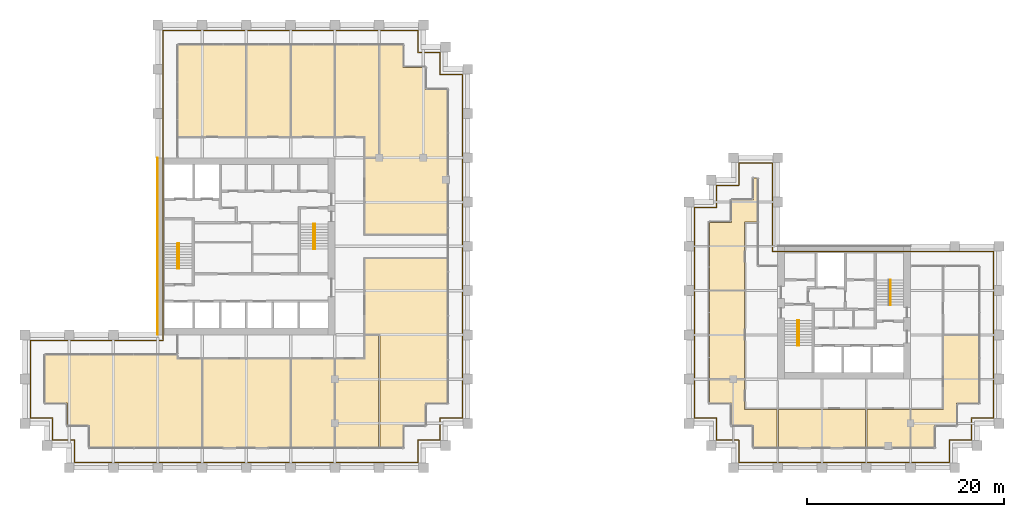
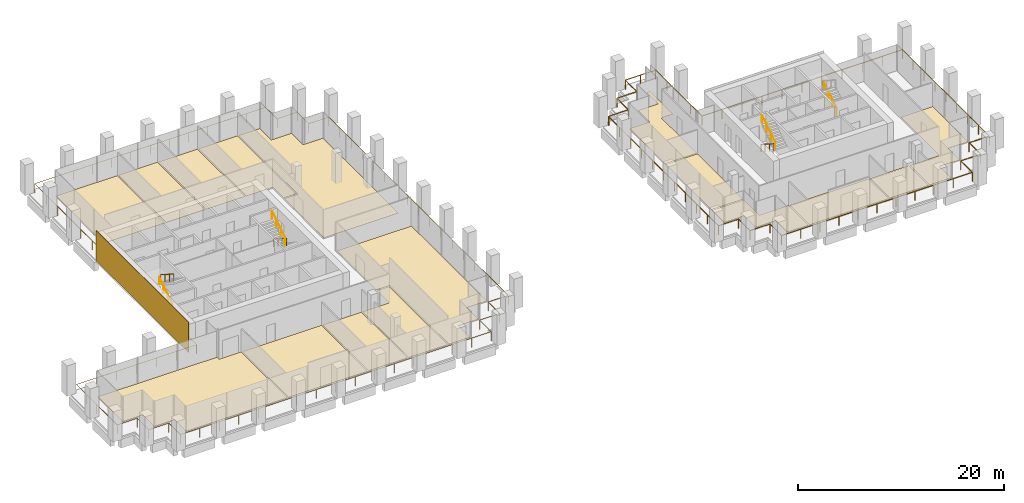
# One storey, part 45 of 46: 17 coverings, 9 railings.
"""IFC4 building model written with IfcOpenShell, lengths in metres."""

from ifc_helpers import new_model, si_unit, direction, frame, origin, origin_2d, place, context, subcontext, project, spatial, polyline, rectangle, circle, outline, extrude, source, transform, mapped, material, layer, layer_set, type_object, element, save


model = new_model("IFC4")

# Units and contexts
model_context = context("Model", 3, precision=1e-05, world=origin(), true_north=direction((0.0, 1.0)))
body_context = subcontext(model_context, "Body", "Model", "MODEL_VIEW")
ifc_project = project(units=[si_unit("LENGTHUNIT", "METRE"), si_unit("AREAUNIT", "SQUARE_METRE"), si_unit("VOLUMEUNIT", "CUBIC_METRE"), si_unit("PLANEANGLEUNIT", "RADIAN"), si_unit("MASSUNIT", "GRAM", prefix="KILO")], contexts=[model_context])

# Site, building, storey
site_placement = place(None, origin())
site = spatial("IfcSite", under=ifc_project, at=site_placement, CompositionType="ELEMENT")
building_placement = place(site_placement, origin())
building = spatial("IfcBuilding", under=site, at=building_placement, Name="Altepetl Exchange Towers", CompositionType="ELEMENT")
storey_placement = place(building_placement, frame((0.0, 0.0, 124.39990234375)))
storey = spatial("IfcBuildingStorey", under=building, at=storey_placement, Name="L30", CompositionType="ELEMENT", Elevation=124.39990234375)

# Coverings
ifc_material_1 = material(Name="Carpet tile")
ifc_layer_1 = layer(ifc_material_1, 0.02001953125)
ifc_layer_set_1 = layer_set([ifc_layer_1], Name="Carpet tile")
covering_type_1 = type_object("IfcCoveringType", Name="Carpet tile floor", PredefinedType="FLOORING", material=ifc_layer_set_1)
covering_1_placement = place(storey_placement, origin())
element("IfcCovering", 1, at=covering_1_placement, inside=storey, type_object=covering_type_1, Name="Open office floor finish A30.01", PredefinedType="FLOORING", context=body_context, shape_type="SweptSolid", body=[
    extrude(outline(polyline([(33.5625, 29.0625), (44.9375, 29.0625), (44.9375, 38.03759765625), (42.4375, 38.03759765625), (42.4375, 38.4375), (29.0625, 38.4375), (29.0625, 33.5625), (31.3125, 33.5625), (31.3125, 31.3125), (33.5625, 31.3125), (33.5625, 29.0625)])), origin(), (0.0, 0.0, 1.0), 0.02001953125),
])
covering_2_placement = place(storey_placement, origin())
element("IfcCovering", 2, at=covering_2_placement, inside=storey, type_object=covering_type_1, Name="Research office floor finish A30.02", PredefinedType="FLOORING", context=body_context, shape_type="SweptSolid", body=[
    extrude(outline(polyline([(53.9375, 29.0625), (53.9375, 38.03759765625), (45.0625, 38.03759765625), (45.0625, 29.0625), (53.9375, 29.0625)])), origin(), (0.0, 0.0, 1.0), 0.02001953125),
])
covering_3_placement = place(storey_placement, origin())
element("IfcCovering", 3, at=covering_3_placement, inside=storey, type_object=covering_type_1, Name="Quiet room floor finish A30.03", PredefinedType="FLOORING", context=body_context, shape_type="SweptSolid", body=[
    extrude(outline(polyline([(58.4375, 29.0625), (58.4375, 38.03759765625), (54.0625, 38.03759765625), (54.0625, 29.0625), (58.4375, 29.0625)])), origin(), (0.0, 0.0, 1.0), 0.02001953125),
])
covering_4_placement = place(storey_placement, origin())
element("IfcCovering", 4, at=covering_4_placement, inside=storey, type_object=covering_type_1, Name="Interview room floor finish A30.04", PredefinedType="FLOORING", context=body_context, shape_type="SweptSolid", body=[
    extrude(outline(polyline([(62.9375, 29.0625), (62.9375, 40.4375), (61.5625, 40.4375), (61.5625, 38.03759765625), (58.5625, 38.03759765625), (58.5625, 29.0625), (62.9375, 29.0625)])), origin(), (0.0, 0.0, 1.0), 0.02001953125),
])
covering_5_placement = place(storey_placement, origin())
element("IfcCovering", 5, at=covering_5_placement, inside=storey, type_object=covering_type_1, Name="Research office floor finish A30.05", PredefinedType="FLOORING", context=body_context, shape_type="SweptSolid", body=[
    extrude(outline(polyline([(67.6875, 31.3125), (67.6875, 33.5625), (69.9375, 33.5625), (69.9375, 48.237548828125), (61.5625, 48.237548828125), (61.5625, 40.5625), (63.0625, 40.5625), (63.0625, 29.0625), (65.4375, 29.0625), (65.4375, 31.3125), (67.6875, 31.3125)])), origin(), (0.0, 0.0, 1.0), 0.02001953125),
])
covering_6_placement = place(storey_placement, origin())
element("IfcCovering", 6, at=covering_6_placement, inside=storey, type_object=covering_type_1, Name="Open office floor finish A30.06", PredefinedType="FLOORING", context=body_context, shape_type="SweptSolid", body=[
    extrude(outline(polyline([(61.5625, 50.762451171875), (69.9375, 50.762451171875), (69.9375, 65.4375), (67.6875, 65.4375), (67.6875, 67.6875), (65.4375, 67.6875), (65.4375, 69.9375), (63.0625, 69.9375), (63.0625, 58.4375), (61.5625, 58.4375), (61.5625, 50.762451171875)])), origin(), (0.0, 0.0, 1.0), 0.02001953125),
])
covering_7_placement = place(storey_placement, origin())
element("IfcCovering", 7, at=covering_7_placement, inside=storey, type_object=covering_type_1, Name="Seminar room floor finish A30.07", PredefinedType="FLOORING", context=body_context, shape_type="SweptSolid", body=[
    extrude(outline(polyline([(61.5625, 58.5625), (62.9375, 58.5625), (62.9375, 69.9375), (58.5625, 69.9375), (58.5625, 60.66259765625), (61.5625, 60.66259765625), (61.5625, 58.5625)])), origin(), (0.0, 0.0, 1.0), 0.02001953125),
])
covering_8_placement = place(storey_placement, origin())
element("IfcCovering", 8, at=covering_8_placement, inside=storey, type_object=covering_type_1, Name="Quiet room floor finish A30.08", PredefinedType="FLOORING", context=body_context, shape_type="SweptSolid", body=[
    extrude(outline(polyline([(58.4375, 60.66259765625), (58.4375, 69.9375), (54.0625, 69.9375), (54.0625, 60.66259765625), (58.4375, 60.66259765625)])), origin(), (0.0, 0.0, 1.0), 0.02001953125),
])
covering_9_placement = place(storey_placement, origin())
element("IfcCovering", 9, at=covering_9_placement, inside=storey, type_object=covering_type_1, Name="Open office floor finish A30.10", PredefinedType="FLOORING", context=body_context, shape_type="SweptSolid", body=[
    extrude(outline(polyline([(49.4375, 60.66259765625), (49.4375, 69.9375), (42.5625, 69.9375), (42.5625, 60.66259765625), (49.4375, 60.66259765625)])), origin(), (0.0, 0.0, 1.0), 0.02001953125),
])
covering_10_placement = place(storey_placement, origin())
element("IfcCovering", 10, at=covering_10_placement, inside=storey, type_object=covering_type_1, Name="Cowork office floor finish B30.01", PredefinedType="FLOORING", context=body_context, shape_type="SweptSolid", body=[
    extrude(outline(polyline([(100.137451171875, 44.9375), (96.5625, 44.9375), (96.5625, 36.0625), (100.137451171875, 36.0625), (100.137451171875, 44.9375)])), origin(), (0.0, 0.0, 1.0), 0.02001953125),
])
covering_11_placement = place(storey_placement, origin())
element("IfcCovering", 11, at=covering_11_placement, inside=storey, type_object=covering_type_1, Name="Training room floor finish B30.02", PredefinedType="FLOORING", context=body_context, shape_type="SweptSolid", body=[
    extrude(outline(polyline([(100.137451171875, 35.9375), (96.5625, 35.9375), (96.5625, 33.5625), (98.8125, 33.5625), (98.8125, 31.3125), (101.0625, 31.3125), (101.0625, 29.0625), (103.4375, 29.0625), (103.4375, 32.9375), (100.137451171875, 32.9375), (100.137451171875, 35.9375)])), origin(), (0.0, 0.0, 1.0), 0.02001953125),
])
covering_12_placement = place(storey_placement, origin())
element("IfcCovering", 12, at=covering_12_placement, inside=storey, type_object=covering_type_1, Name="Cowork office floor finish B30.03", PredefinedType="FLOORING", context=body_context, shape_type="SweptSolid", body=[
    extrude(outline(polyline([(103.5625, 32.9375), (103.5625, 29.0625), (112.4375, 29.0625), (112.4375, 32.9375), (103.5625, 32.9375)])), origin(), (0.0, 0.0, 1.0), 0.02001953125),
])
covering_13_placement = place(storey_placement, origin())
element("IfcCovering", 13, at=covering_13_placement, inside=storey, type_object=covering_type_1, Name="Open office floor finish B30.05", PredefinedType="FLOORING", context=body_context, shape_type="SweptSolid", body=[
    extrude(outline(polyline([(117.0625, 32.9375), (117.0625, 29.0625), (119.4375, 29.0625), (119.4375, 31.3125), (121.6875, 31.3125), (121.6875, 33.5625), (123.9375, 33.5625), (123.9375, 40.4375), (120.362548828125, 40.4375), (120.362548828125, 32.9375), (117.0625, 32.9375)])), origin(), (0.0, 0.0, 1.0), 0.02001953125),
])
covering_14_placement = place(storey_placement, origin())
element("IfcCovering", 14, at=covering_14_placement, inside=storey, type_object=covering_type_1, Name="Cowork office floor finish B30.07", PredefinedType="FLOORING", context=body_context, shape_type="SweptSolid", body=[
    extrude(outline(polyline([(101.0625, 54.1875), (98.8125, 54.1875), (98.8125, 51.9375), (96.5625, 51.9375), (96.5625, 45.0625), (100.137451171875, 45.0625), (100.137451171875, 51.96240234375), (101.4375, 51.96240234375), (101.4375, 56.4375), (101.0625, 56.4375), (101.0625, 54.1875)])), origin(), (0.0, 0.0, 1.0), 0.02001953125),
])
ifc_material_2 = material(Name="Cantera stone", Category="masonry")
ifc_layer_2 = layer(ifc_material_2, 0.030029296875)
ifc_layer_set_2 = layer_set([ifc_layer_2], Name="Cantera stone")
covering_type_2 = type_object("IfcCoveringType", Name="Polished stone floor", PredefinedType="FLOORING", material=ifc_layer_set_2)
covering_15_placement = place(storey_placement, origin())
element("IfcCovering", 15, at=covering_15_placement, inside=storey, type_object=covering_type_2, Name="Lounge floor finish B30.04", PredefinedType="FLOORING", context=body_context, shape_type="SweptSolid", body=[
    extrude(outline(polyline([(112.5625, 32.9375), (112.5625, 29.0625), (116.9375, 29.0625), (116.9375, 32.9375), (112.5625, 32.9375)])), origin(), (0.0, 0.0, 1.0), 0.030029296875),
])
ifc_material_3 = material(Name="Calcium sulphate access floor panel")
ifc_layer_3 = layer(ifc_material_3, 0.0400390625)
ifc_layer_set_3 = layer_set([ifc_layer_3], Name="Calcium sulphate access floor panel")
covering_type_3 = type_object("IfcCoveringType", Name="Raised access floor panels", PredefinedType="FLOORING", material=ifc_layer_set_3)
covering_16_placement = place(storey_placement, origin())
element("IfcCovering", 16, at=covering_16_placement, inside=storey, type_object=covering_type_3, Name="Data room floor finish A30.09", PredefinedType="FLOORING", context=body_context, shape_type="SweptSolid", body=[
    extrude(outline(polyline([(53.9375, 60.66259765625), (53.9375, 69.9375), (49.5625, 69.9375), (49.5625, 60.66259765625), (53.9375, 60.66259765625)])), origin(), (0.0, 0.0, 1.0), 0.0400390625),
])
ifc_material_4 = material(Name="Cantera limestone cladding", Category="masonry")
ifc_layer_4 = layer(ifc_material_4, 0.0400390625)
ifc_layer_set_4 = layer_set([ifc_layer_4], Name="Cantera limestone cladding")
covering_type_4 = type_object("IfcCoveringType", Name="Stone panel 40 cantera", PredefinedType="CLADDING", material=ifc_layer_set_4)
covering_17_placement = place(storey_placement, frame((40.47998046875, 49.5, 0.0), z_axis=(0.0, 0.0, 1.0), x_axis=(0.0, -1.0, 0.0)))
element("IfcCovering", 17, at=covering_17_placement, inside=storey, type_object=covering_type_4, Name="Stone cladding panel", PredefinedType="CLADDING", context=body_context, shape_type="SweptSolid", body=[
    extrude(rectangle(XDim=18.0, YDim=0.0400390625, at=origin_2d()), origin(), (0.0, 0.0, 1.0), 3.60009765625),
])

# Railings
ifc_material_5 = material(Name="Steel S355", Category="steel")
railing_type_1 = type_object("IfcRailingType", Name="Guard 1100 steel posts and rail", PredefinedType="GUARDRAIL", material=ifc_material_5)
shared_shape_1 = source(origin(), body_context, "Body", "SweptSolid", [
    extrude(circle(Radius=0.02099609375, at=origin_2d()), origin(), (0.0, 0.0, 1.0), 1.052001953125),
])
railing_1_placement = place(storey_placement, frame((41.050048828125, 39.949951171875, 0.0)))
element("IfcRailing", 18, at=railing_1_placement, inside=storey, type_object=railing_type_1, Name="Loggia guard", PredefinedType="GUARDRAIL", context=body_context, shape_type="SweptSolid", body=[
    extrude(circle(Radius=0.02392578125, at=origin_2d()), frame((0.0, 0.0, 1.076171875), z_axis=(-1.0, 0.0, 0.0), x_axis=(0.0, -1.0, 0.0)), (0.0, 0.0, 1.0), 13.5),
    extrude(circle(Radius=0.02392578125, at=origin_2d()), frame((-13.5, 0.0, 1.076171875), z_axis=(0.0, -1.0, 0.0), x_axis=(1.0, 0.0, 0.0)), (0.0, 0.0, 1.0), 7.89990234375),
    extrude(circle(Radius=0.02392578125, at=origin_2d()), frame((-13.5, -7.89990234375, 1.076171875), z_axis=(1.0, 0.0, 0.0), x_axis=(0.0, 1.0, 0.0)), (0.0, 0.0, 1.0), 2.25),
    extrude(circle(Radius=0.02392578125, at=origin_2d()), frame((-11.25, -7.89990234375, 1.076171875), z_axis=(0.0, -1.0, 0.0), x_axis=(1.0, 0.0, 0.0)), (0.0, 0.0, 1.0), 2.25),
    extrude(circle(Radius=0.02392578125, at=origin_2d()), frame((-11.25, -10.14990234375, 1.076171875), z_axis=(1.0, 0.0, 0.0), x_axis=(0.0, 1.0, 0.0)), (0.0, 0.0, 1.0), 2.25),
    extrude(circle(Radius=0.02392578125, at=origin_2d()), frame((-9.0, -10.14990234375, 1.076171875), z_axis=(0.0, -1.0, 0.0), x_axis=(1.0, 0.0, 0.0)), (0.0, 0.0, 1.0), 2.25),
    extrude(circle(Radius=0.02392578125, at=origin_2d()), frame((-9.0, -12.39990234375, 1.076171875), z_axis=(1.0, 0.0, 0.0), x_axis=(0.0, 1.0, 0.0)), (0.0, 0.0, 1.0), 34.89990234375),
    extrude(circle(Radius=0.02392578125, at=origin_2d()), frame((25.89990234375, -12.39990234375, 1.076171875), z_axis=(0.0, 1.0, 0.0), x_axis=(-1.0, 0.0, 0.0)), (0.0, 0.0, 1.0), 2.25),
    extrude(circle(Radius=0.02392578125, at=origin_2d()), frame((25.89990234375, -10.14990234375, 1.076171875), z_axis=(1.0, 0.0, 0.0), x_axis=(0.0, 1.0, 0.0)), (0.0, 0.0, 1.0), 2.25),
    extrude(circle(Radius=0.02392578125, at=origin_2d()), frame((28.14990234375, -10.14990234375, 1.076171875), z_axis=(0.0, 1.0, 0.0), x_axis=(-1.0, 0.0, 0.0)), (0.0, 0.0, 1.0), 2.25),
    extrude(circle(Radius=0.02392578125, at=origin_2d()), frame((28.14990234375, -7.89990234375, 1.076171875), z_axis=(1.0, 0.0, 0.0), x_axis=(0.0, 1.0, 0.0)), (0.0, 0.0, 1.0), 2.25),
    extrude(circle(Radius=0.02392578125, at=origin_2d()), frame((30.39990234375, -7.89990234375, 1.076171875), z_axis=(0.0, 1.0, 0.0), x_axis=(-1.0, 0.0, 0.0)), (0.0, 0.0, 1.0), 34.89990234375),
    extrude(circle(Radius=0.02392578125, at=origin_2d()), frame((30.39990234375, 27.0, 1.076171875), z_axis=(-1.0, 0.0, 0.0), x_axis=(0.0, -1.0, 0.0)), (0.0, 0.0, 1.0), 2.25),
    extrude(circle(Radius=0.02392578125, at=origin_2d()), frame((28.14990234375, 27.0, 1.076171875), z_axis=(0.0, 1.0, 0.0), x_axis=(-1.0, 0.0, 0.0)), (0.0, 0.0, 1.0), 2.25),
    extrude(circle(Radius=0.02392578125, at=origin_2d()), frame((28.14990234375, 29.25, 1.076171875), z_axis=(-1.0, 0.0, 0.0), x_axis=(0.0, -1.0, 0.0)), (0.0, 0.0, 1.0), 2.25),
    extrude(circle(Radius=0.02392578125, at=origin_2d()), frame((25.89990234375, 29.25, 1.076171875), z_axis=(0.0, 1.0, 0.0), x_axis=(-1.0, 0.0, 0.0)), (0.0, 0.0, 1.0), 2.25),
    extrude(circle(Radius=0.02392578125, at=origin_2d()), frame((25.89990234375, 31.5, 1.076171875), z_axis=(-1.0, 0.0, 0.0), x_axis=(0.0, -1.0, 0.0)), (0.0, 0.0, 1.0), 25.89990234375),
    extrude(circle(Radius=0.02392578125, at=origin_2d()), frame((0.0, 31.5, 1.076171875), z_axis=(0.0, -1.0, 0.0), x_axis=(1.0, 0.0, 0.0)), (0.0, 0.0, 1.0), 31.39990234375),
    mapped(shared_shape_1, transform((0.0, 0.0, 0.0))),
    mapped(shared_shape_1, transform((-2.25, 0.0, 0.0))),
    mapped(shared_shape_1, transform((-4.5, 0.0, 0.0))),
    mapped(shared_shape_1, transform((-6.75, 0.0, 0.0))),
    mapped(shared_shape_1, transform((-9.0, 0.0, 0.0))),
    mapped(shared_shape_1, transform((-11.25, 0.0, 0.0))),
    mapped(shared_shape_1, transform((-13.5, 0.0, 0.0))),
    mapped(shared_shape_1, transform((-13.5, -1.97509765625, 0.0))),
    mapped(shared_shape_1, transform((-13.5, -3.949951171875, 0.0))),
    mapped(shared_shape_1, transform((-13.5, -5.9248046875, 0.0))),
    mapped(shared_shape_1, transform((-13.5, -7.89990234375, 0.0))),
    mapped(shared_shape_1, transform((-11.25, -7.89990234375, 0.0))),
    mapped(shared_shape_1, transform((-11.25, -10.14990234375, 0.0))),
    mapped(shared_shape_1, transform((-9.0, -10.14990234375, 0.0))),
    mapped(shared_shape_1, transform((-9.0, -12.39990234375, 0.0))),
    mapped(shared_shape_1, transform((-6.81884765625, -12.39990234375, 0.0))),
    mapped(shared_shape_1, transform((-4.637451171875, -12.39990234375, 0.0))),
    mapped(shared_shape_1, transform((-2.456298828125, -12.39990234375, 0.0))),
    mapped(shared_shape_1, transform((-0.27490234375, -12.39990234375, 0.0))),
    mapped(shared_shape_1, transform((1.90625, -12.39990234375, 0.0))),
    mapped(shared_shape_1, transform((4.08740234375, -12.39990234375, 0.0))),
    mapped(shared_shape_1, transform((6.268798828125, -12.39990234375, 0.0))),
    mapped(shared_shape_1, transform((8.449951171875, -12.39990234375, 0.0))),
    mapped(shared_shape_1, transform((10.631103515625, -12.39990234375, 0.0))),
    mapped(shared_shape_1, transform((12.8125, -12.39990234375, 0.0))),
    mapped(shared_shape_1, transform((14.99365234375, -12.39990234375, 0.0))),
    mapped(shared_shape_1, transform((17.1748046875, -12.39990234375, 0.0))),
    mapped(shared_shape_1, transform((19.356201171875, -12.39990234375, 0.0))),
    mapped(shared_shape_1, transform((21.537353515625, -12.39990234375, 0.0))),
    mapped(shared_shape_1, transform((23.71875, -12.39990234375, 0.0))),
    mapped(shared_shape_1, transform((25.89990234375, -12.39990234375, 0.0))),
    mapped(shared_shape_1, transform((25.89990234375, -10.14990234375, 0.0))),
    mapped(shared_shape_1, transform((28.14990234375, -10.14990234375, 0.0))),
    mapped(shared_shape_1, transform((28.14990234375, -7.89990234375, 0.0))),
    mapped(shared_shape_1, transform((30.39990234375, -7.89990234375, 0.0))),
    mapped(shared_shape_1, transform((30.39990234375, -5.71875, 0.0))),
    mapped(shared_shape_1, transform((30.39990234375, -3.537353515625, 0.0))),
    mapped(shared_shape_1, transform((30.39990234375, -1.356201171875, 0.0))),
    mapped(shared_shape_1, transform((30.39990234375, 0.8251953125, 0.0))),
    mapped(shared_shape_1, transform((30.39990234375, 3.00634765625, 0.0))),
    mapped(shared_shape_1, transform((30.39990234375, 5.1875, 0.0))),
    mapped(shared_shape_1, transform((30.39990234375, 7.368896484375, 0.0))),
    mapped(shared_shape_1, transform((30.39990234375, 9.550048828125, 0.0))),
    mapped(shared_shape_1, transform((30.39990234375, 11.731201171875, 0.0))),
    mapped(shared_shape_1, transform((30.39990234375, 13.91259765625, 0.0))),
    mapped(shared_shape_1, transform((30.39990234375, 16.09375, 0.0))),
    mapped(shared_shape_1, transform((30.39990234375, 18.27490234375, 0.0))),
    mapped(shared_shape_1, transform((30.39990234375, 20.456298828125, 0.0))),
    mapped(shared_shape_1, transform((30.39990234375, 22.637451171875, 0.0))),
    mapped(shared_shape_1, transform((30.39990234375, 24.81884765625, 0.0))),
    mapped(shared_shape_1, transform((30.39990234375, 27.0, 0.0))),
    mapped(shared_shape_1, transform((28.14990234375, 27.0, 0.0))),
    mapped(shared_shape_1, transform((28.14990234375, 29.25, 0.0))),
    mapped(shared_shape_1, transform((25.89990234375, 29.25, 0.0))),
    mapped(shared_shape_1, transform((25.89990234375, 31.5, 0.0))),
    mapped(shared_shape_1, transform((23.74169921875, 31.5, 0.0))),
    mapped(shared_shape_1, transform((21.583251953125, 31.5, 0.0))),
    mapped(shared_shape_1, transform((19.4248046875, 31.5, 0.0))),
    mapped(shared_shape_1, transform((17.2666015625, 31.5, 0.0))),
    mapped(shared_shape_1, transform((15.1083984375, 31.5, 0.0))),
    mapped(shared_shape_1, transform((12.949951171875, 31.5, 0.0))),
    mapped(shared_shape_1, transform((10.79150390625, 31.5, 0.0))),
    mapped(shared_shape_1, transform((8.63330078125, 31.5, 0.0))),
    mapped(shared_shape_1, transform((6.47509765625, 31.5, 0.0))),
    mapped(shared_shape_1, transform((4.316650390625, 31.5, 0.0))),
    mapped(shared_shape_1, transform((2.158203125, 31.5, 0.0))),
    mapped(shared_shape_1, transform((0.0, 31.5, 0.0))),
    mapped(shared_shape_1, transform((0.0, 29.257080078125, 0.0))),
    mapped(shared_shape_1, transform((0.0, 27.014404296875, 0.0))),
    mapped(shared_shape_1, transform((0.0, 24.771484375, 0.0))),
    mapped(shared_shape_1, transform((0.0, 22.528564453125, 0.0))),
    mapped(shared_shape_1, transform((0.0, 20.28564453125, 0.0))),
    mapped(shared_shape_1, transform((0.0, 18.04296875, 0.0))),
    mapped(shared_shape_1, transform((0.0, 15.800048828125, 0.0))),
    mapped(shared_shape_1, transform((0.0, 13.55712890625, 0.0))),
    mapped(shared_shape_1, transform((0.0, 11.314453125, 0.0))),
    mapped(shared_shape_1, transform((0.0, 9.071533203125, 0.0))),
    mapped(shared_shape_1, transform((0.0, 6.82861328125, 0.0))),
    mapped(shared_shape_1, transform((0.0, 4.585693359375, 0.0))),
    mapped(shared_shape_1, transform((0.0, 2.343017578125, 0.0))),
    mapped(shared_shape_1, transform((0.0, 0.10009765625, 0.0))),
])
railing_2_placement = place(storey_placement, frame((95.050048828125, 53.449951171875, 0.0)))
element("IfcRailing", 19, at=railing_2_placement, inside=storey, type_object=railing_type_1, Name="Loggia guard", PredefinedType="GUARDRAIL", context=body_context, shape_type="SweptSolid", body=[
    extrude(circle(Radius=0.02392578125, at=origin_2d()), frame((0.0, 0.0, 1.076171875), z_axis=(0.0, -1.0, 0.0), x_axis=(1.0, 0.0, 0.0)), (0.0, 0.0, 1.0), 21.39990234375),
    extrude(circle(Radius=0.02392578125, at=origin_2d()), frame((0.0, -21.39990234375, 1.076171875), z_axis=(1.0, 0.0, 0.0), x_axis=(0.0, 1.0, 0.0)), (0.0, 0.0, 1.0), 2.25),
    extrude(circle(Radius=0.02392578125, at=origin_2d()), frame((2.25, -21.39990234375, 1.076171875), z_axis=(0.0, -1.0, 0.0), x_axis=(1.0, 0.0, 0.0)), (0.0, 0.0, 1.0), 2.25),
    extrude(circle(Radius=0.02392578125, at=origin_2d()), frame((2.25, -23.64990234375, 1.076171875), z_axis=(1.0, 0.0, 0.0), x_axis=(0.0, 1.0, 0.0)), (0.0, 0.0, 1.0), 2.25),
    extrude(circle(Radius=0.02392578125, at=origin_2d()), frame((4.5, -23.64990234375, 1.076171875), z_axis=(0.0, -1.0, 0.0), x_axis=(1.0, 0.0, 0.0)), (0.0, 0.0, 1.0), 2.25),
    extrude(circle(Radius=0.02392578125, at=origin_2d()), frame((4.5, -25.89990234375, 1.076171875), z_axis=(1.0, 0.0, 0.0), x_axis=(0.0, 1.0, 0.0)), (0.0, 0.0, 1.0), 21.39990234375),
    extrude(circle(Radius=0.02392578125, at=origin_2d()), frame((25.89990234375, -25.89990234375, 1.076171875), z_axis=(0.0, 1.0, 0.0), x_axis=(-1.0, 0.0, 0.0)), (0.0, 0.0, 1.0), 2.25),
    extrude(circle(Radius=0.02392578125, at=origin_2d()), frame((25.89990234375, -23.64990234375, 1.076171875), z_axis=(1.0, 0.0, 0.0), x_axis=(0.0, 1.0, 0.0)), (0.0, 0.0, 1.0), 2.25),
    extrude(circle(Radius=0.02392578125, at=origin_2d()), frame((28.14990234375, -23.64990234375, 1.076171875), z_axis=(0.0, 1.0, 0.0), x_axis=(-1.0, 0.0, 0.0)), (0.0, 0.0, 1.0), 2.25),
    extrude(circle(Radius=0.02392578125, at=origin_2d()), frame((28.14990234375, -21.39990234375, 1.076171875), z_axis=(1.0, 0.0, 0.0), x_axis=(0.0, 1.0, 0.0)), (0.0, 0.0, 1.0), 2.25),
    extrude(circle(Radius=0.02392578125, at=origin_2d()), frame((30.39990234375, -21.39990234375, 1.076171875), z_axis=(0.0, 1.0, 0.0), x_axis=(-1.0, 0.0, 0.0)), (0.0, 0.0, 1.0), 16.89990234375),
    extrude(circle(Radius=0.02392578125, at=origin_2d()), frame((30.39990234375, -4.5, 1.076171875), z_axis=(-1.0, 0.0, 0.0), x_axis=(0.0, -1.0, 0.0)), (0.0, 0.0, 1.0), 22.5),
    extrude(circle(Radius=0.02392578125, at=origin_2d()), frame((7.89990234375, -4.5, 1.076171875), z_axis=(0.0, 1.0, 0.0), x_axis=(-1.0, 0.0, 0.0)), (0.0, 0.0, 1.0), 9.0),
    extrude(circle(Radius=0.02392578125, at=origin_2d()), frame((7.89990234375, 4.5, 1.076171875), z_axis=(-1.0, 0.0, 0.0), x_axis=(0.0, -1.0, 0.0)), (0.0, 0.0, 1.0), 3.39990234375),
    extrude(circle(Radius=0.02392578125, at=origin_2d()), frame((4.5, 4.5, 1.076171875), z_axis=(0.0, -1.0, 0.0), x_axis=(1.0, 0.0, 0.0)), (0.0, 0.0, 1.0), 2.25),
    extrude(circle(Radius=0.02392578125, at=origin_2d()), frame((4.5, 2.25, 1.076171875), z_axis=(-1.0, 0.0, 0.0), x_axis=(0.0, -1.0, 0.0)), (0.0, 0.0, 1.0), 2.25),
    extrude(circle(Radius=0.02392578125, at=origin_2d()), frame((2.25, 2.25, 1.076171875), z_axis=(0.0, -1.0, 0.0), x_axis=(1.0, 0.0, 0.0)), (0.0, 0.0, 1.0), 2.25),
    extrude(circle(Radius=0.02392578125, at=origin_2d()), frame((2.25, 0.0, 1.076171875), z_axis=(-1.0, 0.0, 0.0), x_axis=(0.0, -1.0, 0.0)), (0.0, 0.0, 1.0), 2.150146484375),
    mapped(shared_shape_1, transform((0.0, 0.0, 0.0))),
    mapped(shared_shape_1, transform((0.0, -2.139892578125, 0.0))),
    mapped(shared_shape_1, transform((0.0, -4.280029296875, 0.0))),
    mapped(shared_shape_1, transform((0.0, -6.419921875, 0.0))),
    mapped(shared_shape_1, transform((0.0, -8.56005859375, 0.0))),
    mapped(shared_shape_1, transform((0.0, -10.699951171875, 0.0))),
    mapped(shared_shape_1, transform((0.0, -12.83984375, 0.0))),
    mapped(shared_shape_1, transform((0.0, -14.97998046875, 0.0))),
    mapped(shared_shape_1, transform((0.0, -17.119873046875, 0.0))),
    mapped(shared_shape_1, transform((0.0, -19.260009765625, 0.0))),
    mapped(shared_shape_1, transform((0.0, -21.39990234375, 0.0))),
    mapped(shared_shape_1, transform((2.25, -21.39990234375, 0.0))),
    mapped(shared_shape_1, transform((2.25, -23.64990234375, 0.0))),
    mapped(shared_shape_1, transform((4.5, -23.64990234375, 0.0))),
    mapped(shared_shape_1, transform((4.5, -25.89990234375, 0.0))),
    mapped(shared_shape_1, transform((6.639892578125, -25.89990234375, 0.0))),
    mapped(shared_shape_1, transform((8.780029296875, -25.89990234375, 0.0))),
    mapped(shared_shape_1, transform((10.919921875, -25.89990234375, 0.0))),
    mapped(shared_shape_1, transform((13.06005859375, -25.89990234375, 0.0))),
    mapped(shared_shape_1, transform((15.199951171875, -25.89990234375, 0.0))),
    mapped(shared_shape_1, transform((17.33984375, -25.89990234375, 0.0))),
    mapped(shared_shape_1, transform((19.47998046875, -25.89990234375, 0.0))),
    mapped(shared_shape_1, transform((21.619873046875, -25.89990234375, 0.0))),
    mapped(shared_shape_1, transform((23.760009765625, -25.89990234375, 0.0))),
    mapped(shared_shape_1, transform((25.89990234375, -25.89990234375, 0.0))),
    mapped(shared_shape_1, transform((25.89990234375, -23.64990234375, 0.0))),
    mapped(shared_shape_1, transform((28.14990234375, -23.64990234375, 0.0))),
    mapped(shared_shape_1, transform((28.14990234375, -21.39990234375, 0.0))),
    mapped(shared_shape_1, transform((30.39990234375, -21.39990234375, 0.0))),
    mapped(shared_shape_1, transform((30.39990234375, -19.287353515625, 0.0))),
    mapped(shared_shape_1, transform((30.39990234375, -17.1748046875, 0.0))),
    mapped(shared_shape_1, transform((30.39990234375, -15.0625, 0.0))),
    mapped(shared_shape_1, transform((30.39990234375, -12.949951171875, 0.0))),
    mapped(shared_shape_1, transform((30.39990234375, -10.83740234375, 0.0))),
    mapped(shared_shape_1, transform((30.39990234375, -8.72509765625, 0.0))),
    mapped(shared_shape_1, transform((30.39990234375, -6.612548828125, 0.0))),
    mapped(shared_shape_1, transform((30.39990234375, -4.5, 0.0))),
    mapped(shared_shape_1, transform((28.14990234375, -4.5, 0.0))),
    mapped(shared_shape_1, transform((25.89990234375, -4.5, 0.0))),
    mapped(shared_shape_1, transform((23.64990234375, -4.5, 0.0))),
    mapped(shared_shape_1, transform((21.39990234375, -4.5, 0.0))),
    mapped(shared_shape_1, transform((19.14990234375, -4.5, 0.0))),
    mapped(shared_shape_1, transform((16.89990234375, -4.5, 0.0))),
    mapped(shared_shape_1, transform((14.64990234375, -4.5, 0.0))),
    mapped(shared_shape_1, transform((12.39990234375, -4.5, 0.0))),
    mapped(shared_shape_1, transform((10.14990234375, -4.5, 0.0))),
    mapped(shared_shape_1, transform((7.89990234375, -4.5, 0.0))),
    mapped(shared_shape_1, transform((7.89990234375, -2.25, 0.0))),
    mapped(shared_shape_1, transform((7.89990234375, 0.0, 0.0))),
    mapped(shared_shape_1, transform((7.89990234375, 2.25, 0.0))),
    mapped(shared_shape_1, transform((7.89990234375, 4.5, 0.0))),
    mapped(shared_shape_1, transform((6.199951171875, 4.5, 0.0))),
    mapped(shared_shape_1, transform((4.5, 4.5, 0.0))),
    mapped(shared_shape_1, transform((4.5, 2.25, 0.0))),
    mapped(shared_shape_1, transform((2.25, 2.25, 0.0))),
    mapped(shared_shape_1, transform((2.25, 0.0, 0.0))),
    mapped(shared_shape_1, transform((0.099853515625, 0.0, 0.0))),
])
ifc_material_6 = material(Name="Steel", Category="steel")
railing_type_2 = type_object("IfcRailingType", Name="Stair handrail 50 steel tube", PredefinedType="HANDRAIL", material=ifc_material_6)
shared_shape_2 = source(origin(), body_context, "Body", "SweptSolid", [
    extrude(circle(Radius=0.02099609375, at=origin_2d()), origin(), (0.0, 0.0, 1.0), 0.851806640625),
])
railing_3_placement = place(storey_placement, frame((42.52001953125, 47.25, 0.18017578125)))
element("IfcRailing", 20, at=railing_3_placement, inside=storey, type_object=railing_type_2, Name="Stair handrail", PredefinedType="HANDRAIL", context=body_context, shape_type="SweptSolid", body=[
    extrude(circle(Radius=0.02392578125, at=origin_2d()), frame((0.0, 0.0, 0.8759765625), z_axis=(0.0, 0.841199657755, 0.540724639528), x_axis=(-1.0, 0.0, 0.0)), (0.0, 0.0, 1.0), 2.995849609375),
    mapped(shared_shape_2, transform((0.0, 0.0, 0.0))),
    mapped(shared_shape_2, transform((0.0, 0.840087890625, 0.5400390625))),
    mapped(shared_shape_2, transform((0.0, 1.679931640625, 1.079833984375))),
    mapped(shared_shape_2, transform((0.0, 2.52001953125, 1.619873046875))),
])
railing_4_placement = place(storey_placement, frame((42.679931640625, 49.77001953125, 1.97998046875)))
element("IfcRailing", 21, at=railing_4_placement, inside=storey, type_object=railing_type_2, Name="Stair handrail", PredefinedType="HANDRAIL", context=body_context, shape_type="SweptSolid", body=[
    extrude(circle(Radius=0.02392578125, at=origin_2d()), frame((0.0, 0.0, 0.8759765625), z_axis=(0.0, -0.841162588446, 0.540782303519), x_axis=(1.0, 0.0, 0.0)), (0.0, 0.0, 1.0), 2.995849609375),
    mapped(shared_shape_2, transform((0.0, 0.0, 0.0))),
    mapped(shared_shape_2, transform((0.0, -0.840087890625, 0.5400390625))),
    mapped(shared_shape_2, transform((0.0, -1.679931640625, 1.080078125))),
    mapped(shared_shape_2, transform((0.0, -2.52001953125, 1.6201171875))),
])
railing_5_placement = place(storey_placement, frame((56.47998046875, 51.75, 0.18017578125)))
element("IfcRailing", 22, at=railing_5_placement, inside=storey, type_object=railing_type_2, Name="Stair handrail", PredefinedType="HANDRAIL", context=body_context, shape_type="SweptSolid", body=[
    extrude(circle(Radius=0.02392578125, at=origin_2d()), frame((0.0, 0.0, 0.8759765625), z_axis=(0.0, -0.841199657755, 0.540724639528), x_axis=(1.0, 0.0, 0.0)), (0.0, 0.0, 1.0), 2.995849609375),
    mapped(shared_shape_2, transform((0.0, 0.0, 0.0))),
    mapped(shared_shape_2, transform((0.0, -0.840087890625, 0.5400390625))),
    mapped(shared_shape_2, transform((0.0, -1.679931640625, 1.079833984375))),
    mapped(shared_shape_2, transform((0.0, -2.52001953125, 1.619873046875))),
])
railing_6_placement = place(storey_placement, frame((56.320068359375, 49.22998046875, 1.97998046875)))
element("IfcRailing", 23, at=railing_6_placement, inside=storey, type_object=railing_type_2, Name="Stair handrail", PredefinedType="HANDRAIL", context=body_context, shape_type="SweptSolid", body=[
    extrude(circle(Radius=0.02392578125, at=origin_2d()), frame((0.0, 0.0, 0.8759765625), z_axis=(0.0, 0.841162588446, 0.540782303519), x_axis=(-1.0, 0.0, 0.0)), (0.0, 0.0, 1.0), 2.995849609375),
    mapped(shared_shape_2, transform((0.0, 0.0, 0.0))),
    mapped(shared_shape_2, transform((0.0, 0.840087890625, 0.5400390625))),
    mapped(shared_shape_2, transform((0.0, 1.679931640625, 1.080078125))),
    mapped(shared_shape_2, transform((0.0, 2.52001953125, 1.6201171875))),
])
railing_7_placement = place(storey_placement, frame((105.52001953125, 41.949951171875, 0.18017578125)))
element("IfcRailing", 24, at=railing_7_placement, inside=storey, type_object=railing_type_2, Name="Stair handrail", PredefinedType="HANDRAIL", context=body_context, shape_type="SweptSolid", body=[
    extrude(circle(Radius=0.02392578125, at=origin_2d()), frame((0.0, 0.0, 0.8759765625), z_axis=(0.0, -0.841199657755, 0.540724639528), x_axis=(1.0, 0.0, 0.0)), (0.0, 0.0, 1.0), 2.995849609375),
    mapped(shared_shape_2, transform((0.0, 0.0, 0.0))),
    mapped(shared_shape_2, transform((0.0, -0.840087890625, 0.5400390625))),
    mapped(shared_shape_2, transform((0.0, -1.679931640625, 1.079833984375))),
    mapped(shared_shape_2, transform((0.0, -2.52001953125, 1.619873046875))),
])
railing_8_placement = place(storey_placement, frame((105.679931640625, 39.429931640625, 1.97998046875)))
element("IfcRailing", 25, at=railing_8_placement, inside=storey, type_object=railing_type_2, Name="Stair handrail", PredefinedType="HANDRAIL", context=body_context, shape_type="SweptSolid", body=[
    extrude(circle(Radius=0.02392578125, at=origin_2d()), frame((0.0, 0.0, 0.8759765625), z_axis=(0.0, 0.841162588446, 0.540782303519), x_axis=(-1.0, 0.0, 0.0)), (0.0, 0.0, 1.0), 2.995849609375),
    mapped(shared_shape_2, transform((0.0, 0.0, 0.0))),
    mapped(shared_shape_2, transform((0.0, 0.840087890625, 0.5400390625))),
    mapped(shared_shape_2, transform((0.0, 1.679931640625, 1.080078125))),
    mapped(shared_shape_2, transform((0.0, 2.52001953125, 1.6201171875))),
])
railing_9_placement = place(storey_placement, frame((114.97998046875, 43.550048828125, 0.18017578125)))
element("IfcRailing", 26, at=railing_9_placement, inside=storey, type_object=railing_type_2, Name="Stair handrail", PredefinedType="HANDRAIL", context=body_context, shape_type="SweptSolid", body=[
    extrude(circle(Radius=0.02392578125, at=origin_2d()), frame((0.0, 0.0, 0.8759765625), z_axis=(0.0, 0.841199657755, 0.540724639528), x_axis=(-1.0, 0.0, 0.0)), (0.0, 0.0, 1.0), 2.995849609375),
    mapped(shared_shape_2, transform((0.0, 0.0, 0.0))),
    mapped(shared_shape_2, transform((0.0, 0.840087890625, 0.5400390625))),
    mapped(shared_shape_2, transform((0.0, 1.679931640625, 1.079833984375))),
    mapped(shared_shape_2, transform((0.0, 2.52001953125, 1.619873046875))),
])

save(model, "model.ifc")
